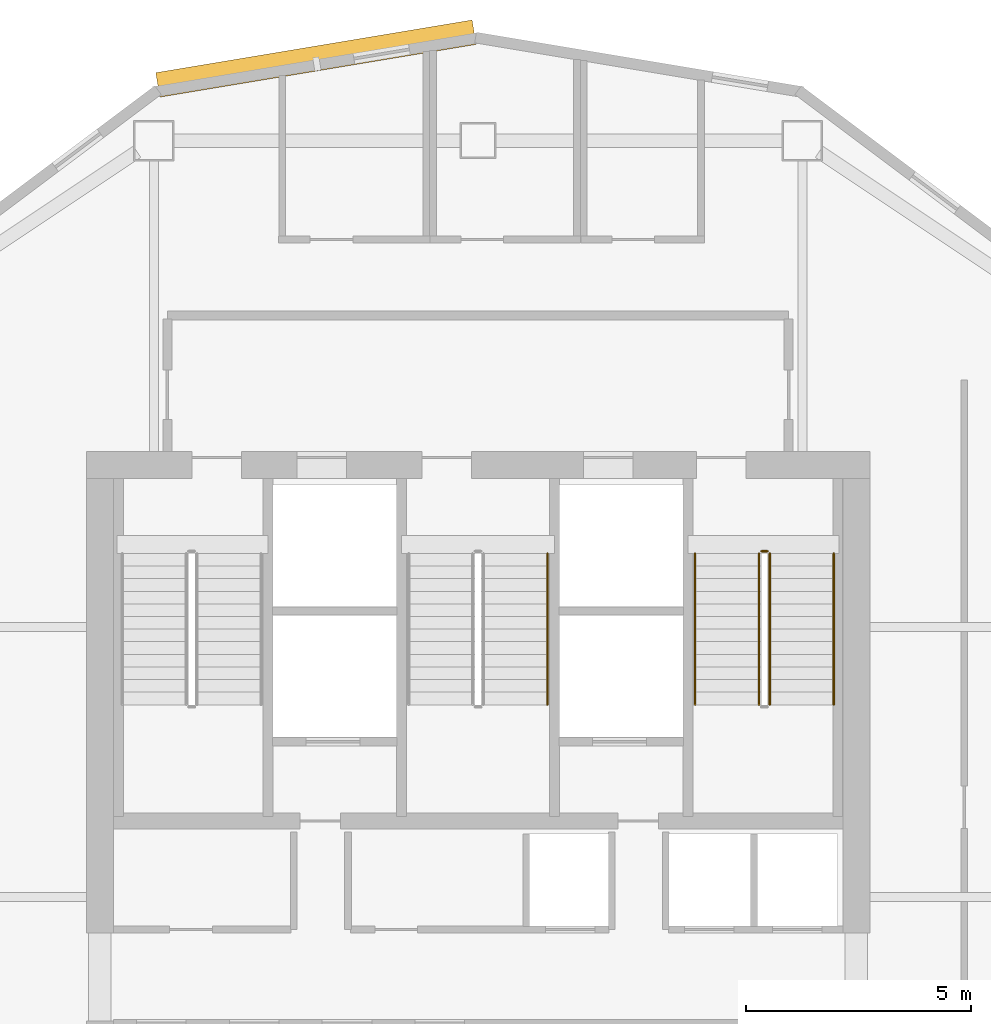
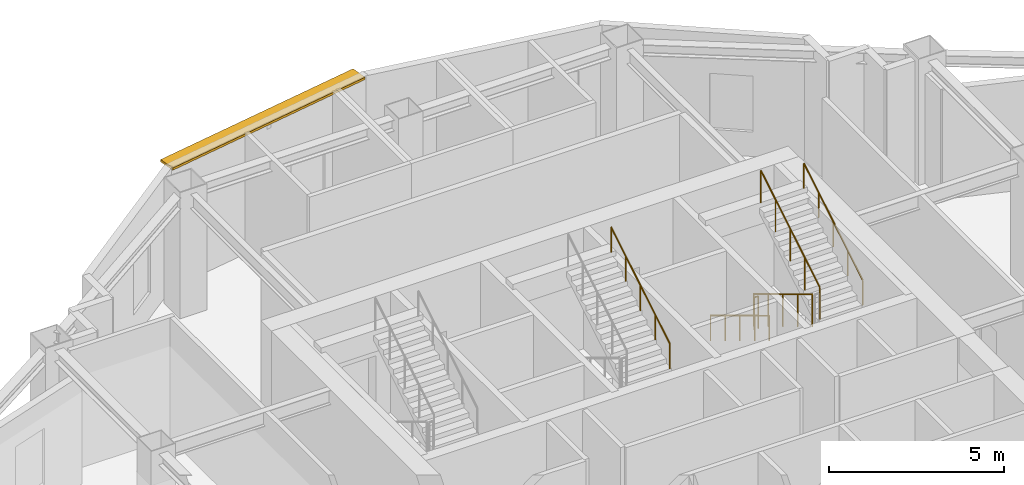
# One storey, part 16 of 16: 6 railings, 1 shading device.
"""IFC4 building model written with IfcOpenShell, lengths in metres."""

from ifc_helpers import new_model, si_unit, direction, frame, origin, origin_2d, place, context, subcontext, project, spatial, rectangle, circle, extrude, material, layer, layer_set, type_object, element, save


model = new_model("IFC4")

# Units and contexts
model_context = context("Model", 3, precision=1e-05, world=origin(), true_north=direction((0.0, 1.0)))
body_context = subcontext(model_context, "Body", "Model", "MODEL_VIEW")
ifc_project = project(units=[si_unit("LENGTHUNIT", "METRE"), si_unit("AREAUNIT", "SQUARE_METRE"), si_unit("VOLUMEUNIT", "CUBIC_METRE"), si_unit("PLANEANGLEUNIT", "RADIAN"), si_unit("MASSUNIT", "GRAM", prefix="KILO")], contexts=[model_context])

# Site, building, storey
site_placement = place(None, origin())
site = spatial("IfcSite", under=ifc_project, at=site_placement, CompositionType="ELEMENT")
building_placement = place(site_placement, origin())
building = spatial("IfcBuilding", under=site, at=building_placement, Name="Haolan Belvedere Tower", CompositionType="ELEMENT")
storey_placement = place(building_placement, frame((0.0, 0.0, 164.60009765625)))
storey = spatial("IfcBuildingStorey", under=building, at=storey_placement, Name="L41", CompositionType="ELEMENT", Elevation=164.60009765625)

# Railings
ifc_material_1 = material(Name="Brushed stainless steel 304", Category="steel")
railing_type_1 = type_object("IfcRailingType", Name="RL-STAIR-GRD-1150", PredefinedType="GUARDRAIL", material=ifc_material_1)
railing_1_placement = place(storey_placement, frame((44.639892578125, 41.22998046875, 0.169189453125)))
element("IfcRailing", 1, at=railing_1_placement, inside=storey, type_object=railing_type_1, Name="L41 ST2 stair guard 1", PredefinedType="GUARDRAIL", context=body_context, shape_type="SweptSolid", body=[
    extrude(circle(Radius=0.02392578125, at=origin_2d()), frame((0.0, 0.0, 1.1259765625), z_axis=(0.0, -0.855820338506, 0.51727318527), x_axis=(1.0, 0.0, 0.0)), (0.0, 0.0, 1.0), 3.92578125),
    extrude(circle(Radius=0.02099609375, at=origin_2d()), origin(), (0.0, 0.0, 1.0), 1.101806640625),
    extrude(circle(Radius=0.02099609375, at=origin_2d()), frame((0.0, -0.83984375, 0.5078125)), (0.0, 0.0, 1.0), 1.101806640625),
    extrude(circle(Radius=0.02099609375, at=origin_2d()), frame((0.0, -1.679931640625, 1.015380859375)), (0.0, 0.0, 1.0), 1.101806640625),
    extrude(circle(Radius=0.02099609375, at=origin_2d()), frame((0.0, -2.52001953125, 1.52294921875)), (0.0, 0.0, 1.0), 1.101806640625),
    extrude(circle(Radius=0.02099609375, at=origin_2d()), frame((0.0, -3.35986328125, 2.03076171875)), (0.0, 0.0, 1.0), 1.101806640625),
])
railing_2_placement = place(storey_placement, frame((44.8798828125, 37.8701171875, 2.369140625)))
element("IfcRailing", 2, at=railing_2_placement, inside=storey, type_object=railing_type_1, Name="L41 ST2 stair guard 3", PredefinedType="GUARDRAIL", context=body_context, shape_type="SweptSolid", body=[
    extrude(circle(Radius=0.02392578125, at=origin_2d()), frame((0.0, 0.0, 1.1259765625), z_axis=(0.0, 0.855820338506, 0.51727318527), x_axis=(-1.0, 0.0, 0.0)), (0.0, 0.0, 1.0), 3.92578125),
    extrude(circle(Radius=0.02099609375, at=origin_2d()), origin(), (0.0, 0.0, 1.0), 1.101806640625),
    extrude(circle(Radius=0.02099609375, at=origin_2d()), frame((0.0, 0.83984375, 0.5078125)), (0.0, 0.0, 1.0), 1.101806640625),
    extrude(circle(Radius=0.02099609375, at=origin_2d()), frame((0.0, 1.679931640625, 1.015380859375)), (0.0, 0.0, 1.0), 1.101806640625),
    extrude(circle(Radius=0.02099609375, at=origin_2d()), frame((0.0, 2.52001953125, 1.52294921875)), (0.0, 0.0, 1.0), 1.101806640625),
    extrude(circle(Radius=0.02099609375, at=origin_2d()), frame((0.0, 3.35986328125, 2.03076171875)), (0.0, 0.0, 1.0), 1.101806640625),
])
railing_3_placement = place(storey_placement, frame((44.68994140625, 41.280029296875, 0.0)))
element("IfcRailing", 3, at=railing_3_placement, inside=storey, type_object=railing_type_1, Name="L41 ST2 stair guard 4", PredefinedType="GUARDRAIL", context=body_context, shape_type="SweptSolid", body=[
    extrude(circle(Radius=0.02392578125, at=origin_2d()), frame((0.0, 0.0, 1.1259765625), z_axis=(1.0, 0.0, 0.0), x_axis=(0.0, 1.0, 0.0)), (0.0, 0.0, 1.0), 0.14013671875),
    extrude(circle(Radius=0.02099609375, at=origin_2d()), origin(), (0.0, 0.0, 1.0), 1.101806640625),
    extrude(circle(Radius=0.02099609375, at=origin_2d()), frame((0.14013671875, 0.0, 0.0)), (0.0, 0.0, 1.0), 1.101806640625),
])
railing_type_2 = type_object("IfcRailingType", Name="RL-STAIR-HND-900", PredefinedType="HANDRAIL", material=ifc_material_1)
railing_4_placement = place(storey_placement, frame((39.93994140625, 37.8701171875, 2.369140625)))
element("IfcRailing", 4, at=railing_4_placement, inside=storey, type_object=railing_type_2, Name="L41 ST3 stair handrail 2", PredefinedType="HANDRAIL", context=body_context, shape_type="SweptSolid", body=[
    extrude(circle(Radius=0.02392578125, at=origin_2d()), frame((0.0, 0.0, 0.8759765625), z_axis=(0.0, 0.855820338506, 0.51727318527), x_axis=(-1.0, 0.0, 0.0)), (0.0, 0.0, 1.0), 3.92578125),
    extrude(circle(Radius=0.02099609375, at=origin_2d()), origin(), (0.0, 0.0, 1.0), 0.851806640625),
    extrude(circle(Radius=0.02099609375, at=origin_2d()), frame((0.0, 0.83984375, 0.5078125)), (0.0, 0.0, 1.0), 0.851806640625),
    extrude(circle(Radius=0.02099609375, at=origin_2d()), frame((0.0, 1.679931640625, 1.015380859375)), (0.0, 0.0, 1.0), 0.851806640625),
    extrude(circle(Radius=0.02099609375, at=origin_2d()), frame((0.0, 2.52001953125, 1.52294921875)), (0.0, 0.0, 1.0), 0.851806640625),
    extrude(circle(Radius=0.02099609375, at=origin_2d()), frame((0.0, 3.35986328125, 2.03076171875)), (0.0, 0.0, 1.0), 0.851806640625),
])
railing_5_placement = place(storey_placement, frame((43.219970703125, 41.22998046875, 0.169189453125)))
element("IfcRailing", 5, at=railing_5_placement, inside=storey, type_object=railing_type_2, Name="L41 ST2 stair handrail 1", PredefinedType="HANDRAIL", context=body_context, shape_type="SweptSolid", body=[
    extrude(circle(Radius=0.02392578125, at=origin_2d()), frame((0.0, 0.0, 0.8759765625), z_axis=(0.0, -0.855820338506, 0.51727318527), x_axis=(1.0, 0.0, 0.0)), (0.0, 0.0, 1.0), 3.92578125),
    extrude(circle(Radius=0.02099609375, at=origin_2d()), origin(), (0.0, 0.0, 1.0), 0.851806640625),
    extrude(circle(Radius=0.02099609375, at=origin_2d()), frame((0.0, -0.83984375, 0.5078125)), (0.0, 0.0, 1.0), 0.851806640625),
    extrude(circle(Radius=0.02099609375, at=origin_2d()), frame((0.0, -1.679931640625, 1.015380859375)), (0.0, 0.0, 1.0), 0.851806640625),
    extrude(circle(Radius=0.02099609375, at=origin_2d()), frame((0.0, -2.52001953125, 1.52294921875)), (0.0, 0.0, 1.0), 0.851806640625),
    extrude(circle(Radius=0.02099609375, at=origin_2d()), frame((0.0, -3.35986328125, 2.03076171875)), (0.0, 0.0, 1.0), 0.851806640625),
])
railing_6_placement = place(storey_placement, frame((46.300048828125, 37.8701171875, 2.369140625)))
element("IfcRailing", 6, at=railing_6_placement, inside=storey, type_object=railing_type_2, Name="L41 ST2 stair handrail 2", PredefinedType="HANDRAIL", context=body_context, shape_type="SweptSolid", body=[
    extrude(circle(Radius=0.02392578125, at=origin_2d()), frame((0.0, 0.0, 0.8759765625), z_axis=(0.0, 0.855820338506, 0.51727318527), x_axis=(-1.0, 0.0, 0.0)), (0.0, 0.0, 1.0), 3.92578125),
    extrude(circle(Radius=0.02099609375, at=origin_2d()), origin(), (0.0, 0.0, 1.0), 0.851806640625),
    extrude(circle(Radius=0.02099609375, at=origin_2d()), frame((0.0, 0.83984375, 0.5078125)), (0.0, 0.0, 1.0), 0.851806640625),
    extrude(circle(Radius=0.02099609375, at=origin_2d()), frame((0.0, 1.679931640625, 1.015380859375)), (0.0, 0.0, 1.0), 0.851806640625),
    extrude(circle(Radius=0.02099609375, at=origin_2d()), frame((0.0, 2.52001953125, 1.52294921875)), (0.0, 0.0, 1.0), 0.851806640625),
    extrude(circle(Radius=0.02099609375, at=origin_2d()), frame((0.0, 3.35986328125, 2.03076171875)), (0.0, 0.0, 1.0), 0.851806640625),
])

# Shading device
ifc_material_2 = material(Name="Anodised champagne-silver aluminium 6063-T6", Category="aluminium")
ifc_layer = layer(ifc_material_2, 0.080078125, Name="Anodised champagne-silver aluminium 6063-T6")
ifc_layer_set = layer_set([ifc_layer], Name="Anodised champagne-silver aluminium 6063-T6")
shading_device_type = type_object("IfcShadingDeviceType", Name="SHD-SUN-550", PredefinedType="USERDEFINED", material=ifc_layer_set)
shading_device_placement = place(storey_placement, frame((34.80126953125, 52.220458984375, 4.119873046875), z_axis=(0.0, 0.0, 1.0), x_axis=(-0.986394848329, -0.164393440227, 0.0)))
element("IfcShadingDevice", 7, at=shading_device_placement, inside=storey, type_object=shading_device_type, Name="L41 pale-metal horizontal SUNSHADE band 22.1", ObjectType="SUNSHADE", PredefinedType="USERDEFINED", context=body_context, shape_type="SweptSolid", body=[
    extrude(rectangle(XDim=7.1201171875, YDim=0.550048828125, at=origin_2d()), origin(), (0.0, 0.0, 1.0), 0.080078125),
])

save(model, "model.ifc")
